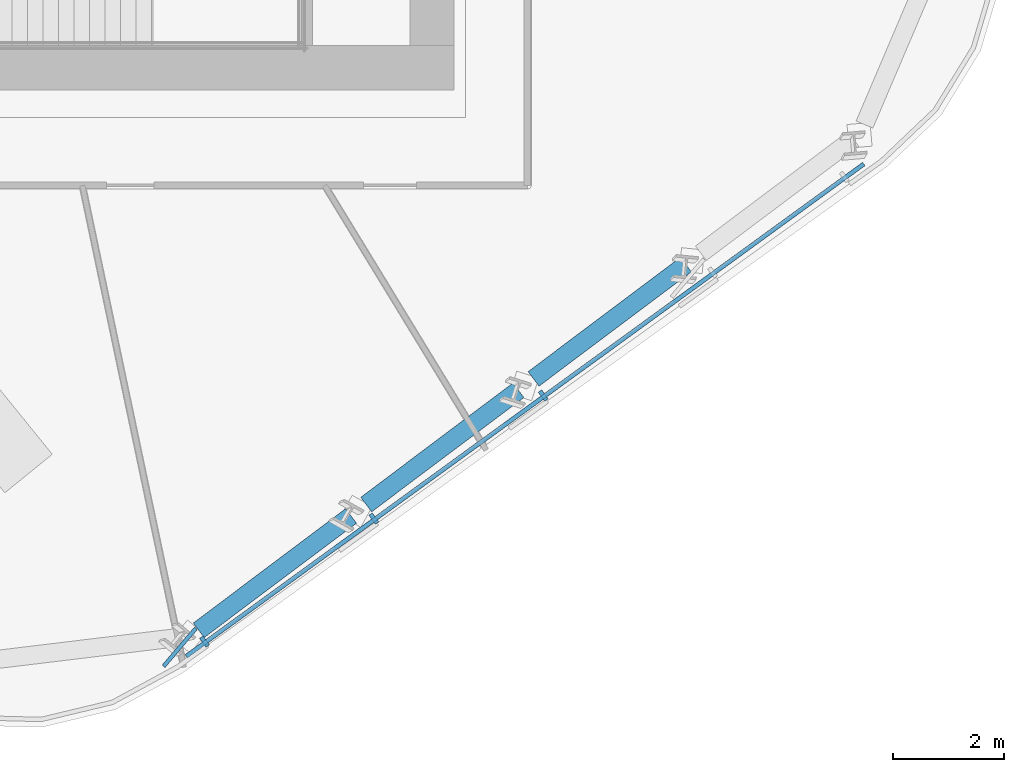
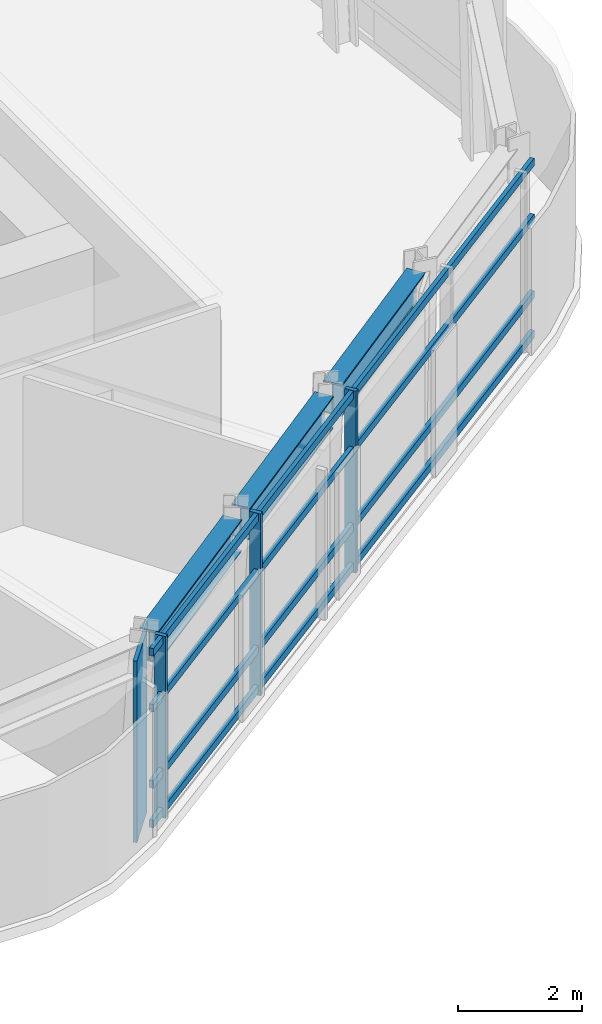
# One storey, part 3 of 14: 8 members, 3 beams, 1 element without a shape of its own.
"""IFC4 building model written with IfcOpenShell, lengths in metres."""

from ifc_helpers import new_model, si_unit, direction, frame, origin, origin_2d, place, context, subcontext, project, spatial, rectangle, i_section, extrude, material, layer, layer_set, material_profile, profile_set, type_object, element, aggregate, save


model = new_model("IFC4")

# Units and contexts
model_context = context("Model", 3, precision=1e-05, world=origin(), true_north=direction((0.0, 1.0)))
body_context = subcontext(model_context, "Body", "Model", "MODEL_VIEW")
ifc_project = project(units=[si_unit("LENGTHUNIT", "METRE"), si_unit("AREAUNIT", "SQUARE_METRE"), si_unit("VOLUMEUNIT", "CUBIC_METRE"), si_unit("PLANEANGLEUNIT", "RADIAN"), si_unit("MASSUNIT", "GRAM", prefix="KILO")], contexts=[model_context])

# Site, building, storey
site_placement = place(None, origin())
site = spatial("IfcSite", under=ifc_project, at=site_placement, CompositionType="ELEMENT")
building_placement = place(site_placement, origin())
building = spatial("IfcBuilding", under=site, at=building_placement, Name="Valkerne Bourse Tower", CompositionType="ELEMENT")
storey_placement = place(building_placement, frame((0.0, 0.0, 178.0)))
storey = spatial("IfcBuildingStorey", under=building, at=storey_placement, Name="L45", CompositionType="ELEMENT", Elevation=178.0)

# Beams
ifc_material_1 = material(Name="Steel ASTM A992", Category="steel")
ifc_material_profile_1 = material_profile(ifc_material_1, i_section(OverallWidth=0.32763671875, OverallDepth=0.62744140625, WebThickness=0.0166015625, FlangeThickness=0.027587890625, FilletRadius=0.020263671875, at=origin_2d()), Name="W24X146")
ifc_profile_set_1 = profile_set([ifc_material_profile_1], Name="Steel ASTM A992")
beam_type = type_object("IfcBeamType", Name="BM-W24X146", PredefinedType="SPANDREL", material=ifc_profile_set_1)
beam_placement = place(storey_placement, frame((51.798095703125, 8.06494140625, 3.266357421875), z_axis=(0.799701053501, 0.600398388597, 0.0), x_axis=(-0.600398388597, 0.799701053501, 0.0)))
element("IfcBeam", 1, at=beam_placement, inside=storey, type_object=beam_type, Name="L45 Hexagonal Spandrel Ring Beam 20", PredefinedType="SPANDREL", context=body_context, shape_type="SweptSolid", body=[
    extrude(i_section(OverallWidth=0.32763671875, OverallDepth=0.62744140625, WebThickness=0.0166015625, FlangeThickness=0.027587890625, FilletRadius=0.020263671875, at=origin_2d()), origin(), (0.0, 0.0, 1.0), 3.43115234375),
])
for number, where, z_axis, x_axis, name in (
    (2, (54.81396484375, 10.3291015625, 3.266357421875), (0.799709568641, 0.600387046683, 0.0), (-0.600387046683, 0.799709568641, 0.0), "L45 Hexagonal Spandrel Ring Beam 21"),
    (3, (57.82958984375, 12.59326171875, 3.266357421875), (0.799675401804, 0.600432553873, 0.0), (-0.600432553873, 0.799675401804, 0.0), "L45 Hexagonal Spandrel Ring Beam 22"),
):
    element("IfcBeam", number, at=place(storey_placement, frame(where, z_axis=z_axis, x_axis=x_axis)), inside=storey, type_object=beam_type, Name=name, PredefinedType="SPANDREL", context=body_context, shape_type="SweptSolid", body=[
        extrude(i_section(OverallWidth=0.32763671875, OverallDepth=0.62744140625, WebThickness=0.0166015625, FlangeThickness=0.027587890625, FilletRadius=0.020263671875, at=origin_2d()), origin(), (0.0, 0.0, 1.0), 3.430908203125),
    ])

# Curtain wall, members
ifc_material_2 = material(Name="Aluminium AA 6063-T6", Category="aluminium")
ifc_layer = layer(ifc_material_2, 0.235107421875)
ifc_layer_set = layer_set([ifc_layer], Name="Aluminium AA 6063-T6")
curtain_wall_type = type_object("IfcCurtainWallType", Name="CW-03", PredefinedType="NOTDEFINED", material=ifc_layer_set)
curtain_wall_placement = place(storey_placement, origin())
curtain_wall = element("IfcCurtainWall", 4, at=curtain_wall_placement, inside=storey, type_object=curtain_wall_type, Name="L45 Hexagonal Stick Curtain Wall Face 5", PredefinedType="NOTDEFINED")
ifc_material_profile_2 = material_profile(ifc_material_2, rectangle(XDim=0.074951171875, YDim=0.199951171875, at=origin_2d()), Name="CWM-75X200")
ifc_profile_set_2 = profile_set([ifc_material_profile_2], Name="Aluminium AA 6063-T6")
member_type_1 = type_object("IfcMemberType", Name="CW-MUL-220X75", PredefinedType="MULLION", material=ifc_profile_set_2)
member_1_placement = place(storey_placement, frame((51.90234375, 7.860595703125, 0.0), z_axis=(0.0, 0.0, 1.0), x_axis=(0.809008916878, 0.587796369853, 0.0)))
member_1 = element("IfcMember", 5, at=member_1_placement, type_object=member_type_1, Name="CW-L45-F5 Jamb Mullion 00A", PredefinedType="MULLION", context=body_context, shape_type="SweptSolid", body=[
    extrude(rectangle(XDim=0.074951171875, YDim=0.199951171875, at=origin_2d()), origin(), (0.0, 0.0, 1.0), 3.580078125),
])
member_2_placement = place(storey_placement, frame((54.953125, 10.0771484375, 0.0), z_axis=(0.0, 0.0, 1.0), x_axis=(0.809021527022, 0.587779013589, 0.0)))
member_2 = element("IfcMember", 6, at=member_2_placement, type_object=member_type_1, Name="CW-L45-F5 Jamb Mullion 01A", PredefinedType="MULLION", context=body_context, shape_type="SweptSolid", body=[
    extrude(rectangle(XDim=0.074951171875, YDim=0.199951171875, at=origin_2d()), origin(), (0.0, 0.0, 1.0), 3.580078125),
])
member_3_placement = place(storey_placement, frame((58.00390625, 12.293701171875, 0.0), z_axis=(0.0, 0.0, 1.0), x_axis=(0.809008916878, 0.587796369853, 0.0)))
member_3 = element("IfcMember", 7, at=member_3_placement, type_object=member_type_1, Name="CW-L45-F5 Jamb Mullion 02A", PredefinedType="MULLION", context=body_context, shape_type="SweptSolid", body=[
    extrude(rectangle(XDim=0.074951171875, YDim=0.199951171875, at=origin_2d()), origin(), (0.0, 0.0, 1.0), 3.580078125),
])
ifc_material_profile_3 = material_profile(ifc_material_2, rectangle(XDim=0.074951171875, YDim=0.14990234375, at=origin_2d()), Name="CWT-75X150")
ifc_profile_set_3 = profile_set([ifc_material_profile_3], Name="Aluminium AA 6063-T6")
member_type_2 = type_object("IfcMemberType", Name="CW-TRN-180X65", PredefinedType="USERDEFINED", material=ifc_profile_set_3)
member_4_placement = place(storey_placement, frame((51.57421875, 7.597412109375, 0.1201171875), z_axis=(0.8090187512, 0.587782834222, 0.0), x_axis=(-0.587782834222, 0.8090187512, 0.0)))
member_4 = element("IfcMember", 8, at=member_4_placement, type_object=member_type_2, Name="CW-L45-F5 Continuous Face Transom 1", ObjectType="TRANSOM", PredefinedType="USERDEFINED", context=body_context, shape_type="SweptSolid", body=[
    extrude(rectangle(XDim=0.074951171875, YDim=0.14990234375, at=origin_2d()), origin(), (0.0, 0.0, 1.0), 15.084228515625),
])
member_5_placement = place(storey_placement, frame((51.57421875, 7.597412109375, 0.89990234375), z_axis=(0.8090187512, 0.587782834222, 0.0), x_axis=(-0.587782834222, 0.8090187512, 0.0)))
member_5 = element("IfcMember", 9, at=member_5_placement, type_object=member_type_2, Name="CW-L45-F5 Continuous Face Transom 2", ObjectType="TRANSOM", PredefinedType="USERDEFINED", context=body_context, shape_type="SweptSolid", body=[
    extrude(rectangle(XDim=0.074951171875, YDim=0.14990234375, at=origin_2d()), origin(), (0.0, 0.0, 1.0), 15.084228515625),
])
member_6_placement = place(storey_placement, frame((51.57421875, 7.597412109375, 2.39990234375), z_axis=(0.8090187512, 0.587782834222, 0.0), x_axis=(-0.587782834222, 0.8090187512, 0.0)))
member_6 = element("IfcMember", 10, at=member_6_placement, type_object=member_type_2, Name="CW-L45-F5 Continuous Face Transom 3", ObjectType="TRANSOM", PredefinedType="USERDEFINED", context=body_context, shape_type="SweptSolid", body=[
    extrude(rectangle(XDim=0.074951171875, YDim=0.14990234375, at=origin_2d()), origin(), (0.0, 0.0, 1.0), 15.084228515625),
])
member_7_placement = place(storey_placement, frame((51.57421875, 7.597412109375, 3.5), z_axis=(0.8090187512, 0.587782834222, 0.0), x_axis=(-0.587782834222, 0.8090187512, 0.0)))
member_7 = element("IfcMember", 11, at=member_7_placement, type_object=member_type_2, Name="CW-L45-F5 Continuous Face Transom 4", ObjectType="TRANSOM", PredefinedType="USERDEFINED", context=body_context, shape_type="SweptSolid", body=[
    extrude(rectangle(XDim=0.074951171875, YDim=0.14990234375, at=origin_2d()), origin(), (0.0, 0.0, 1.0), 15.084228515625),
])
aggregate(curtain_wall, [member_4, member_5, member_6, member_7, member_1, member_2, member_3])

# Member
ifc_material_3 = material(Name="Bronze Anodised Aluminium AA 6063-T6", Category="aluminium")
ifc_material_profile_4 = material_profile(ifc_material_3, rectangle(XDim=0.070068359375, YDim=0.89990234375, at=origin_2d()), Name="FIN-70X900")
ifc_profile_set_4 = profile_set([ifc_material_profile_4], Name="Bronze Anodised Aluminium AA 6063-T6")
member_type_3 = type_object("IfcMemberType", Name="FIN-SOLAR-900", PredefinedType="USERDEFINED", material=ifc_profile_set_4)
member_8_placement = place(storey_placement, frame((51.456787109375, 7.75927734375, 0.00390625), z_axis=(0.0, 0.0, 1.0), x_axis=(0.761695760812, -0.647934848546, 0.0)))
element("IfcMember", 12, at=member_8_placement, inside=storey, type_object=member_type_3, Name="L45 Bronze Anodised Solar Fin F5-00", ObjectType="SOLAR_FIN", PredefinedType="USERDEFINED", context=body_context, shape_type="SweptSolid", body=[
    extrude(rectangle(XDim=0.070068359375, YDim=0.89990234375, at=origin_2d()), origin(), (0.0, 0.0, 1.0), 3.572021484375),
])

save(model, "model.ifc")
